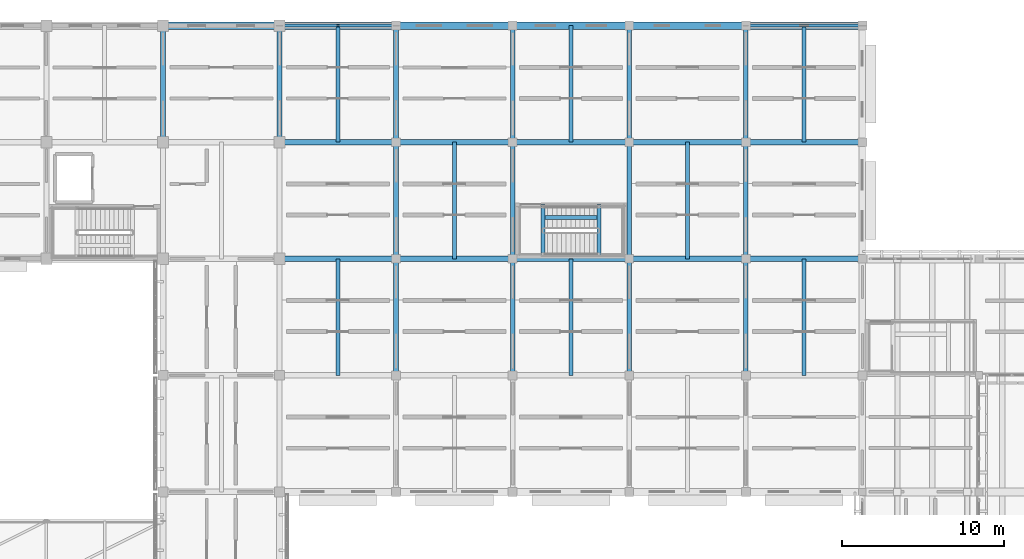
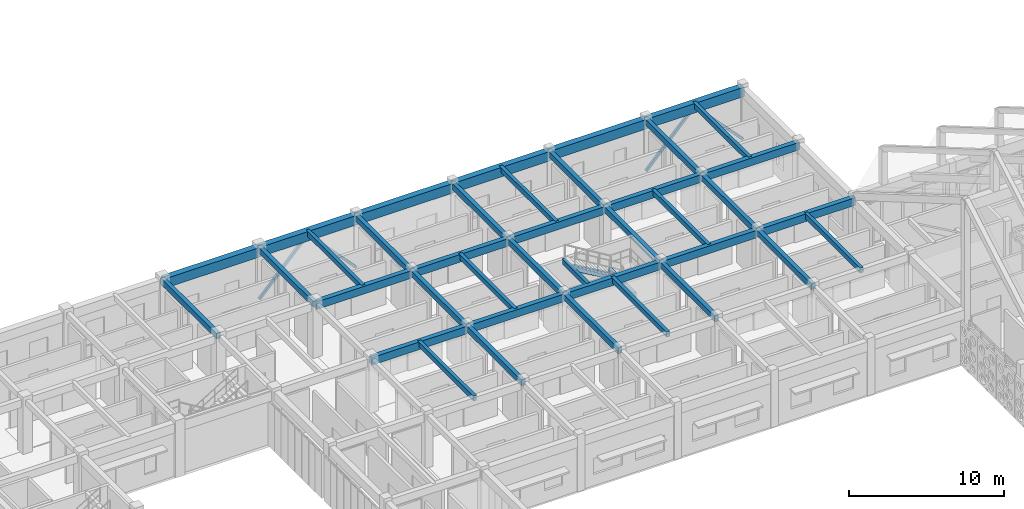
# One storey, part 14 of 171: 41 beams, 4 members.
"""IFC4 building model written with IfcOpenShell, lengths in metres."""

from ifc_helpers import new_model, si_unit, direction, frame, origin, origin_2d, place, context, subcontext, project, spatial, rectangle, hollow_rectangle, extrude, material, material_profile, profile_set, type_object, element, save


model = new_model("IFC4")

# Units and contexts
model_context = context("Model", 3, precision=1e-05, world=origin(), true_north=direction((0.0, 1.0)))
body_context = subcontext(model_context, "Body", "Model", "MODEL_VIEW")
ifc_project = project(units=[si_unit("LENGTHUNIT", "METRE"), si_unit("AREAUNIT", "SQUARE_METRE"), si_unit("VOLUMEUNIT", "CUBIC_METRE"), si_unit("PLANEANGLEUNIT", "RADIAN"), si_unit("MASSUNIT", "GRAM", prefix="KILO")], contexts=[model_context])

# Site, building, storey
site_placement = place(None, origin())
site = spatial("IfcSite", under=ifc_project, at=site_placement, CompositionType="ELEMENT")
building_placement = place(site_placement, origin())
building = spatial("IfcBuilding", under=site, at=building_placement, Name="Aldebral Square Health Centre", CompositionType="ELEMENT")
storey_placement = place(building_placement, frame((0.0, 0.0, 4.5)))
storey = spatial("IfcBuildingStorey", under=building, at=storey_placement, Name="L01", CompositionType="ELEMENT", Elevation=4.5)

# Beams
ifc_material_1 = material(Name="Concrete C40/50", Category="concrete")
ifc_material_profile_1 = material_profile(ifc_material_1, rectangle(XDim=0.35009765625, YDim=0.60009765625, at=origin_2d()), Name="RC 350x600")
ifc_profile_set_1 = profile_set([ifc_material_profile_1], Name="Concrete C40/50")
beam_type_1 = type_object("IfcBeamType", Name="BM-B2", PredefinedType="BEAM", material=ifc_profile_set_1)
for number, where, z_axis, x_axis, name in (
    (1, (28.800048828125, 100.800048828125, 3.919921875), (1.0, 0.0, 0.0), (0.0, 1.0, 0.0), "L01 X-beam 5-6/G15"),
    (2, (28.800048828125, 108.0, 3.919921875), (1.0, 0.0, 0.0), (0.0, 1.0, 0.0), "L01 X-beam 5-6/G16"),
    (3, (36.0, 100.800048828125, 3.919921875), (1.0, 0.0, 0.0), (0.0, 1.0, 0.0), "L01 X-beam 6-7/G15"),
    (4, (36.0, 108.0, 3.919921875), (1.0, 0.0, 0.0), (0.0, 1.0, 0.0), "L01 X-beam 6-7/G16"),
    (5, (43.199951171875, 100.800048828125, 3.919921875), (1.0, 0.0, 0.0), (0.0, 1.0, 0.0), "L01 X-beam 7-8/G15"),
    (6, (43.199951171875, 108.0, 3.919921875), (1.0, 0.0, 0.0), (0.0, 1.0, 0.0), "L01 X-beam 7-8/G16"),
):
    element("IfcBeam", number, at=place(storey_placement, frame(where, z_axis=z_axis, x_axis=x_axis)), inside=storey, type_object=beam_type_1, Name=name, PredefinedType="BEAM", context=body_context, shape_type="SweptSolid", body=[
        extrude(rectangle(XDim=0.35009765625, YDim=0.60009765625, at=origin_2d()), origin(), (0.0, 0.0, 1.0), 7.199951171875),
    ])
for number, where, z_axis, x_axis, name in (
    (7, (50.39990234375, 100.800048828125, 3.919921875), (1.0, 0.0, 0.0), (0.0, 1.0, 0.0), "L01 X-beam 8-9/G15"),
    (8, (50.39990234375, 108.0, 3.919921875), (1.0, 0.0, 0.0), (0.0, 1.0, 0.0), "L01 X-beam 8-9/G16"),
):
    element("IfcBeam", number, at=place(storey_placement, frame(where, z_axis=z_axis, x_axis=x_axis)), inside=storey, type_object=beam_type_1, Name=name, PredefinedType="BEAM", context=body_context, shape_type="SweptSolid", body=[
        extrude(rectangle(XDim=0.35009765625, YDim=0.60009765625, at=origin_2d()), origin(), (0.0, 0.0, 1.0), 7.2001953125),
    ])
for number, where, z_axis, x_axis, name in (
    (9, (57.60009765625, 100.800048828125, 3.919921875), (1.0, 0.0, 0.0), (0.0, 1.0, 0.0), "L01 X-beam 9-10/G15"),
    (10, (57.60009765625, 108.0, 3.919921875), (1.0, 0.0, 0.0), (0.0, 1.0, 0.0), "L01 X-beam 9-10/G16"),
):
    element("IfcBeam", number, at=place(storey_placement, frame(where, z_axis=z_axis, x_axis=x_axis)), inside=storey, type_object=beam_type_1, Name=name, PredefinedType="BEAM", context=body_context, shape_type="SweptSolid", body=[
        extrude(rectangle(XDim=0.35009765625, YDim=0.60009765625, at=origin_2d()), origin(), (0.0, 0.0, 1.0), 7.199951171875),
    ])
ifc_material_profile_2 = material_profile(ifc_material_1, rectangle(XDim=0.300048828125, YDim=0.449951171875, at=origin_2d()), Name="RC 300x450")
ifc_profile_set_2 = profile_set([ifc_material_profile_2], Name="Concrete C40/50")
beam_type_2 = type_object("IfcBeamType", Name="BM-B5", PredefinedType="BEAM", material=ifc_profile_set_2)
for number, where, z_axis, x_axis, name in (
    (11, (21.60009765625, 108.0, 3.9951171875), (0.0, 1.0, 0.0), (-1.0, 0.0, 0.0), "L01 Y-beam G4/16-17"),
    (12, (28.800048828125, 108.0, 3.9951171875), (0.0, 1.0, 0.0), (-1.0, 0.0, 0.0), "L01 Y-beam G5/16-17"),
    (13, (36.0, 93.60009765625, 3.9951171875), (0.0, 1.0, 0.0), (-1.0, 0.0, 0.0), "L01 Y-beam G6/14-15"),
    (14, (36.0, 100.800048828125, 3.9951171875), (0.0, 1.0, 0.0), (-1.0, 0.0, 0.0), "L01 Y-beam G6/15-16"),
    (15, (36.0, 108.0, 3.9951171875), (0.0, 1.0, 0.0), (-1.0, 0.0, 0.0), "L01 Y-beam G6/16-17"),
    (16, (43.199951171875, 93.60009765625, 3.9951171875), (0.0, 1.0, 0.0), (-1.0, 0.0, 0.0), "L01 Y-beam G7/14-15"),
    (17, (43.199951171875, 100.800048828125, 3.9951171875), (0.0, 1.0, 0.0), (-1.0, 0.0, 0.0), "L01 Y-beam G7/15-16"),
    (18, (43.199951171875, 108.0, 3.9951171875), (0.0, 1.0, 0.0), (-1.0, 0.0, 0.0), "L01 Y-beam G7/16-17"),
    (19, (50.39990234375, 93.60009765625, 3.9951171875), (0.0, 1.0, 0.0), (-1.0, 0.0, 0.0), "L01 Y-beam G8/14-15"),
    (20, (50.39990234375, 100.800048828125, 3.9951171875), (0.0, 1.0, 0.0), (-1.0, 0.0, 0.0), "L01 Y-beam G8/15-16"),
    (21, (50.39990234375, 108.0, 3.9951171875), (0.0, 1.0, 0.0), (-1.0, 0.0, 0.0), "L01 Y-beam G8/16-17"),
    (22, (57.60009765625, 93.60009765625, 3.9951171875), (0.0, 1.0, 0.0), (-1.0, 0.0, 0.0), "L01 Y-beam G9/14-15"),
    (23, (57.60009765625, 100.800048828125, 3.9951171875), (0.0, 1.0, 0.0), (-1.0, 0.0, 0.0), "L01 Y-beam G9/15-16"),
    (24, (57.60009765625, 108.0, 3.9951171875), (0.0, 1.0, 0.0), (-1.0, 0.0, 0.0), "L01 Y-beam G9/16-17"),
):
    element("IfcBeam", number, at=place(storey_placement, frame(where, z_axis=z_axis, x_axis=x_axis)), inside=storey, type_object=beam_type_2, Name=name, PredefinedType="BEAM", context=body_context, shape_type="SweptSolid", body=[
        extrude(rectangle(XDim=0.300048828125, YDim=0.449951171875, at=origin_2d()), origin(), (0.0, 0.0, 1.0), 7.199951171875),
    ])
ifc_material_profile_3 = material_profile(ifc_material_1, rectangle(XDim=0.25, YDim=0.39990234375, at=origin_2d()), Name="RC 250x400")
ifc_profile_set_3 = profile_set([ifc_material_profile_3], Name="Concrete C40/50")
beam_type_3 = type_object("IfcBeamType", Name="BM-B6", PredefinedType="JOIST", material=ifc_profile_set_3)
for number, where, z_axis, x_axis, name in (
    (25, (32.39990234375, 93.60009765625, 4.02001953125), (0.0, 1.0, 0.0), (-1.0, 0.0, 0.0), "L01 secondary rib 5.14"),
    (26, (32.39990234375, 108.0, 4.02001953125), (0.0, 1.0, 0.0), (-1.0, 0.0, 0.0), "L01 secondary rib 5.16"),
    (27, (39.60009765625, 100.800048828125, 4.02001953125), (0.0, 1.0, 0.0), (-1.0, 0.0, 0.0), "L01 secondary rib 6.15"),
    (28, (46.800048828125, 93.60009765625, 4.02001953125), (0.0, 1.0, 0.0), (-1.0, 0.0, 0.0), "L01 secondary rib 7.14"),
    (29, (46.800048828125, 108.0, 4.02001953125), (0.0, 1.0, 0.0), (-1.0, 0.0, 0.0), "L01 secondary rib 7.16"),
    (30, (54.0, 100.800048828125, 4.02001953125), (0.0, 1.0, 0.0), (-1.0, 0.0, 0.0), "L01 secondary rib 8.15"),
    (31, (61.199951171875, 93.60009765625, 4.02001953125), (0.0, 1.0, 0.0), (-1.0, 0.0, 0.0), "L01 secondary rib 9.14"),
    (32, (61.199951171875, 108.0, 4.02001953125), (0.0, 1.0, 0.0), (-1.0, 0.0, 0.0), "L01 secondary rib 9.16"),
):
    element("IfcBeam", number, at=place(storey_placement, frame(where, z_axis=z_axis, x_axis=x_axis)), inside=storey, type_object=beam_type_3, Name=name, PredefinedType="JOIST", context=body_context, shape_type="SweptSolid", body=[
        extrude(rectangle(XDim=0.25, YDim=0.39990234375, at=origin_2d()), origin(), (0.0, 0.0, 1.0), 7.199951171875),
    ])
for number, where, z_axis, x_axis, name in (
    (33, (48.52001953125, 100.929931640625, 2.050048828125), (0.0, 1.0, 0.0), (-1.0, 0.0, 0.0), "L01 WS-S6 half-landing beam"),
    (34, (45.080078125, 100.929931640625, 4.02001953125), (0.0, 1.0, 0.0), (-1.0, 0.0, 0.0), "L01 WS-S6 upper landing beam"),
):
    element("IfcBeam", number, at=place(storey_placement, frame(where, z_axis=z_axis, x_axis=x_axis)), inside=storey, type_object=beam_type_3, Name=name, PredefinedType="JOIST", context=body_context, shape_type="SweptSolid", body=[
        extrude(rectangle(XDim=0.25, YDim=0.39990234375, at=origin_2d()), origin(), (0.0, 0.0, 1.0), 3.219970703125),
    ])
beam_1_placement = place(storey_placement, frame((48.52001953125, 103.340087890625, 2.050048828125), z_axis=(-0.867776584178, 0.0, 0.496954525034), x_axis=(0.0, -1.0, 0.0)))
element("IfcBeam", 35, at=beam_1_placement, inside=storey, type_object=beam_type_3, Name="L01 WS-S6 flight stringer beam", PredefinedType="JOIST", context=body_context, shape_type="SweptSolid", body=[
    extrude(rectangle(XDim=0.25, YDim=0.39990234375, at=origin_2d()), origin(), (0.0, 0.0, 1.0), 3.964111328125),
])
ifc_material_profile_4 = material_profile(ifc_material_1, rectangle(XDim=0.449951171875, YDim=0.75, at=origin_2d()), Name="RC 450x750")
ifc_profile_set_4 = profile_set([ifc_material_profile_4], Name="Concrete C40/50")
beam_type_4 = type_object("IfcBeamType", Name="BM-G2", PredefinedType="T_BEAM", material=ifc_profile_set_4)
for number, where, z_axis, x_axis, name in (
    (36, (21.60009765625, 115.199951171875, 3.844970703125), (1.0, 0.0, 0.0), (0.0, 1.0, 0.0), "L01 X-beam 4-5/G17"),
    (37, (28.800048828125, 115.199951171875, 3.844970703125), (1.0, 0.0, 0.0), (0.0, 1.0, 0.0), "L01 X-beam 5-6/G17"),
    (38, (36.0, 115.199951171875, 3.844970703125), (1.0, 0.0, 0.0), (0.0, 1.0, 0.0), "L01 X-beam 6-7/G17"),
    (39, (43.199951171875, 115.199951171875, 3.844970703125), (1.0, 0.0, 0.0), (0.0, 1.0, 0.0), "L01 X-beam 7-8/G17"),
):
    element("IfcBeam", number, at=place(storey_placement, frame(where, z_axis=z_axis, x_axis=x_axis)), inside=storey, type_object=beam_type_4, Name=name, PredefinedType="T_BEAM", context=body_context, shape_type="SweptSolid", body=[
        extrude(rectangle(XDim=0.449951171875, YDim=0.75, at=origin_2d()), origin(), (0.0, 0.0, 1.0), 7.199951171875),
    ])
beam_2_placement = place(storey_placement, frame((50.39990234375, 115.199951171875, 3.844970703125), z_axis=(1.0, 0.0, 0.0), x_axis=(0.0, 1.0, 0.0)))
element("IfcBeam", 40, at=beam_2_placement, inside=storey, type_object=beam_type_4, Name="L01 X-beam 8-9/G17", PredefinedType="T_BEAM", context=body_context, shape_type="SweptSolid", body=[
    extrude(rectangle(XDim=0.449951171875, YDim=0.75, at=origin_2d()), origin(), (0.0, 0.0, 1.0), 7.2001953125),
])
beam_3_placement = place(storey_placement, frame((57.60009765625, 115.199951171875, 3.844970703125), z_axis=(1.0, 0.0, 0.0), x_axis=(0.0, 1.0, 0.0)))
element("IfcBeam", 41, at=beam_3_placement, inside=storey, type_object=beam_type_4, Name="L01 X-beam 9-10/G17", PredefinedType="T_BEAM", context=body_context, shape_type="SweptSolid", body=[
    extrude(rectangle(XDim=0.449951171875, YDim=0.75, at=origin_2d()), origin(), (0.0, 0.0, 1.0), 7.199951171875),
])

# Members
ifc_material_2 = material(Name="Steel S355JR", Category="steel")
ifc_material_profile_5 = material_profile(ifc_material_2, hollow_rectangle(XDim=0.179931640625, YDim=0.179931640625, WallThickness=0.010009765625, at=origin_2d()), Name="180x180x10 SHS")
ifc_profile_set_5 = profile_set([ifc_material_profile_5], Name="Steel S355JR")
member_type = type_object("IfcMemberType", Name="MEM-BR1", PredefinedType="BRACE", material=ifc_profile_set_5)
member_1_placement = place(storey_placement, frame((28.800048828125, 115.199951171875, 0.0), z_axis=(0.683455296672, 0.0, 0.729992368077), x_axis=(0.0, 1.0, 0.0)))
element("IfcMember", 42, at=member_1_placement, inside=storey, type_object=member_type, Name="L01 exterior north chevron brace L 5", PredefinedType="BRACE", context=body_context, shape_type="SweptSolid", body=[
    extrude(hollow_rectangle(XDim=0.179931640625, YDim=0.179931640625, WallThickness=0.010009765625, at=origin_2d()), origin(), (0.0, 0.0, 1.0), 5.26708984375),
])
member_2_placement = place(storey_placement, frame((36.0, 115.199951171875, 0.0), z_axis=(-0.683479995784, 0.0, 0.729969242751), x_axis=(0.0, -1.0, 0.0)))
element("IfcMember", 43, at=member_2_placement, inside=storey, type_object=member_type, Name="L01 exterior north chevron brace R 5", PredefinedType="BRACE", context=body_context, shape_type="SweptSolid", body=[
    extrude(hollow_rectangle(XDim=0.179931640625, YDim=0.179931640625, WallThickness=0.010009765625, at=origin_2d()), origin(), (0.0, 0.0, 1.0), 5.267333984375),
])
member_3_placement = place(storey_placement, frame((57.60009765625, 115.199951171875, 0.0), z_axis=(0.683455296672, 0.0, 0.729992368077), x_axis=(0.0, 1.0, 0.0)))
element("IfcMember", 44, at=member_3_placement, inside=storey, type_object=member_type, Name="L01 exterior north chevron brace L 9", PredefinedType="BRACE", context=body_context, shape_type="SweptSolid", body=[
    extrude(hollow_rectangle(XDim=0.179931640625, YDim=0.179931640625, WallThickness=0.010009765625, at=origin_2d()), origin(), (0.0, 0.0, 1.0), 5.26708984375),
])
member_4_placement = place(storey_placement, frame((64.800048828125, 115.199951171875, 0.0), z_axis=(-0.683479995784, 0.0, 0.729969242751), x_axis=(0.0, -1.0, 0.0)))
element("IfcMember", 45, at=member_4_placement, inside=storey, type_object=member_type, Name="L01 exterior north chevron brace R 9", PredefinedType="BRACE", context=body_context, shape_type="SweptSolid", body=[
    extrude(hollow_rectangle(XDim=0.179931640625, YDim=0.179931640625, WallThickness=0.010009765625, at=origin_2d()), origin(), (0.0, 0.0, 1.0), 5.267333984375),
])

save(model, "model.ifc")
